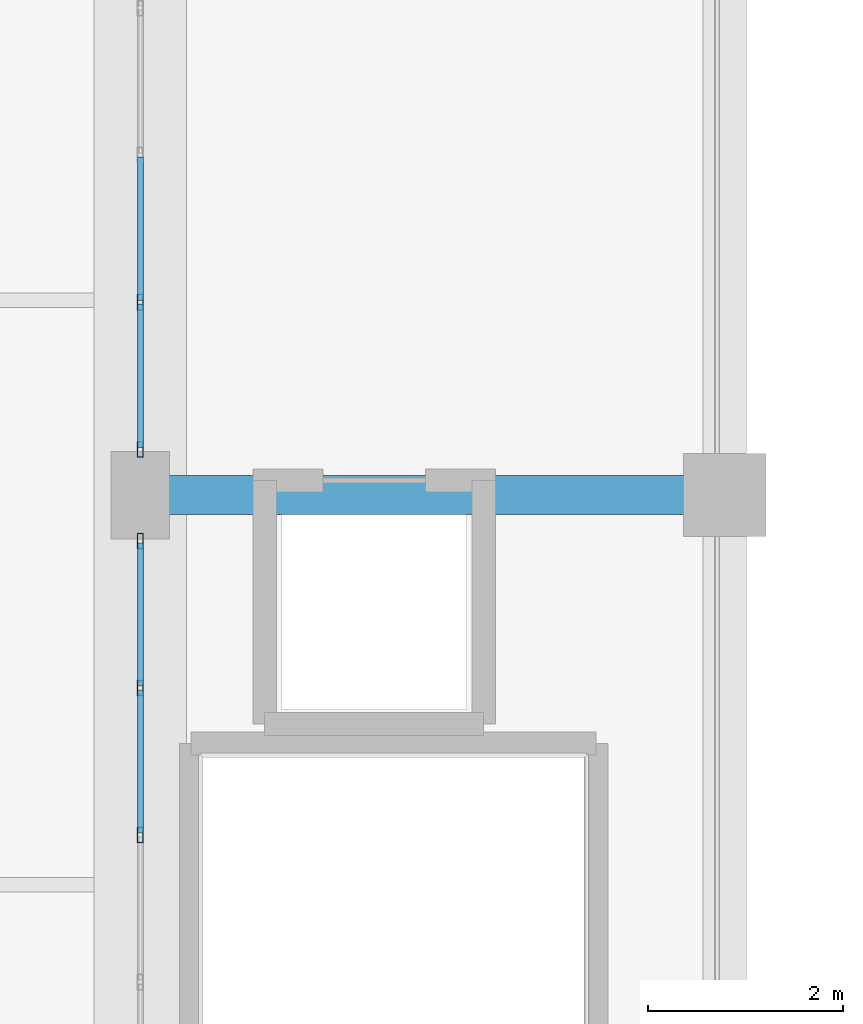
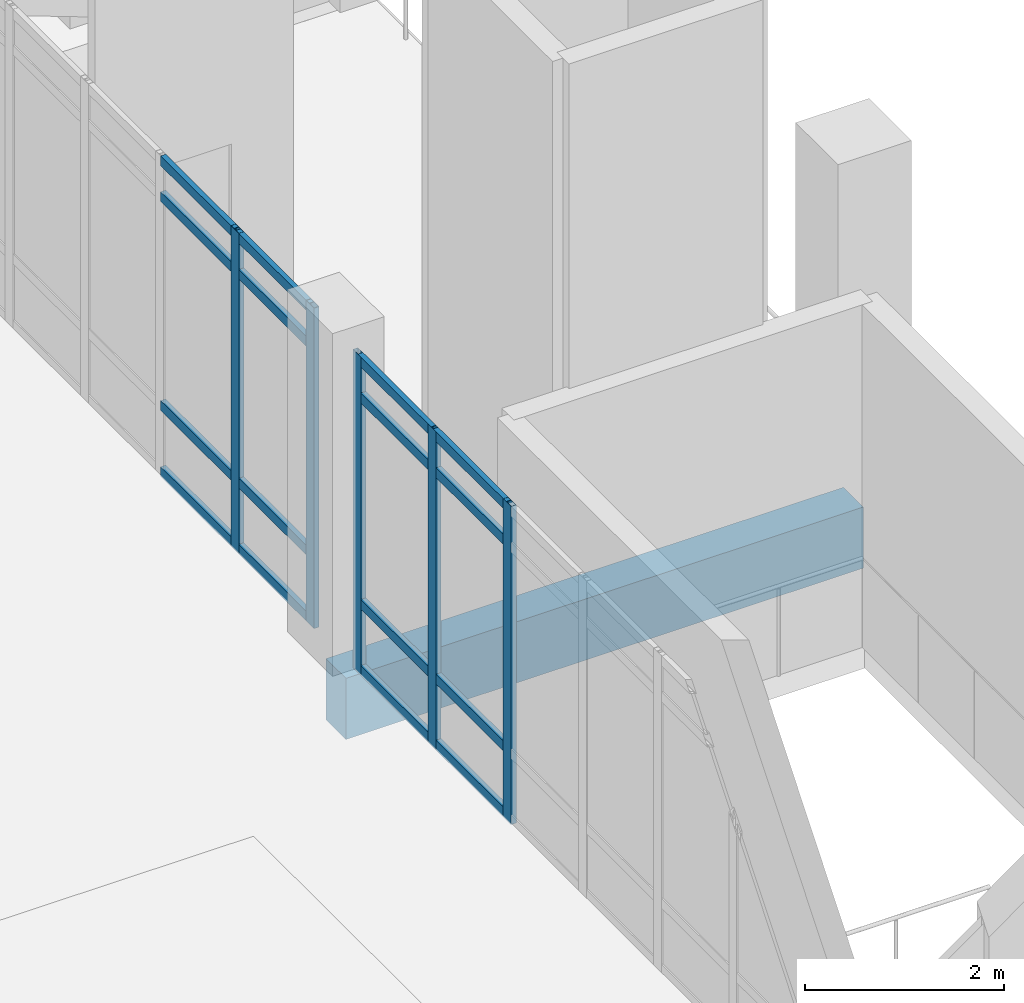
# One storey, part 51 of 161: 21 members, 1 beam, 2 elements without a shape of their own.
"""IFC4 building model written with IfcOpenShell, lengths in metres."""

import ifcopenshell
import ifcopenshell.guid

model = None  # the IFC model being written
_history = None  # IfcOwnerHistory: only IFC2X3 demands one
_inside = {}  # id of a spatial element -> (the spatial element, [elements in it])
_under = {}  # id of a project, library or spatial element -> (it, [spatial elements below it])
_declared = {}  # id of a project -> (the project, [libraries it declares])
_typed = {}  # id of a type object -> (the type object, [elements of that type])
_made_of = {}  # id of a material, layer set ... -> (it, [elements and type objects made of it])


def new_model(schema):
    """Start an empty IFC model of exactly this schema.

    Asked for "IFC4X3", IfcOpenShell would pick the latest addendum, in which some entities
    have other attributes; the version numbers below select the first issue.
    IFC2X3 requires an IfcOwnerHistory on every rooted entity: one is made here for all.
    """
    global model, _history
    if schema == "IFC4X3":
        model = ifcopenshell.file(schema_version=(4, 3, 0, 0))
    else:
        model = ifcopenshell.file(schema=schema)
    _inside.clear()
    _under.clear()
    _declared.clear()
    _typed.clear()
    _made_of.clear()
    _history = None
    if model.schema == "IFC2X3":
        org = make("IfcOrganization", Name="unknown")
        user = make(
            "IfcPersonAndOrganization",
            ThePerson=make("IfcPerson", FamilyName="unknown"),
            TheOrganization=org,
        )
        app = make(
            "IfcApplication",
            ApplicationDeveloper=org,
            Version="unknown",
            ApplicationFullName="unknown",
            ApplicationIdentifier="unknown",
        )
        _history = make(
            "IfcOwnerHistory",
            OwningUser=user,
            OwningApplication=app,
            ChangeAction="ADDED",
            CreationDate=0,
        )
    return model


def make(cls, **values):
    """One entity of the class cls with the attributes given. An attribute that is None is left unset."""
    return model.create_entity(
        cls, **{name: value for name, value in values.items() if value is not None}
    )


def rooted(cls, **values):
    """An entity with a GlobalId (a new one), such as an element, a storey or a relation."""
    return make(cls, GlobalId=ifcopenshell.guid.new(), OwnerHistory=_history, **values)


def si_unit(unit_type, name, prefix=None):
    """IfcSIUnit, for example si_unit("LENGTHUNIT", "METRE", prefix="MILLI")."""
    return make("IfcSIUnit", UnitType=unit_type, Prefix=prefix, Name=name)


def assignment(units):
    """IfcUnitAssignment: the units of a project."""
    return None if units is None else make("IfcUnitAssignment", Units=units)


def point(xyz):
    """IfcCartesianPoint."""
    return None if xyz is None else make("IfcCartesianPoint", Coordinates=xyz)


def direction(xyz):
    """IfcDirection."""
    return None if xyz is None else make("IfcDirection", DirectionRatios=xyz)


def frame(location, z_axis=None, x_axis=None):
    """IfcAxis2Placement3D, a coordinate frame: its origin and axes. An axis left out is left unset."""
    return make(
        "IfcAxis2Placement3D",
        Location=point(location),
        Axis=direction(z_axis),
        RefDirection=direction(x_axis),
    )


def frame_2d(location, x_axis=None):
    """IfcAxis2Placement2D, a coordinate frame in the plane: its origin and x axis."""
    return make(
        "IfcAxis2Placement2D", Location=point(location), RefDirection=direction(x_axis)
    )


def origin():
    """The frame at (0, 0, 0) with its axes left unset."""
    return frame((0.0, 0.0, 0.0))


def origin_2d():
    """The frame at (0, 0) in the plane with its x axis left unset."""
    return frame_2d((0.0, 0.0))


def place(relative_to, where):
    """IfcLocalPlacement: puts the frame where relative to a parent placement (None: the world)."""
    return make(
        "IfcLocalPlacement", PlacementRelTo=relative_to, RelativePlacement=where
    )


def context(
    kind, dimensions, precision=None, world=None, true_north=None, identifier=None
):
    """IfcGeometricRepresentationContext, for example the 3D "Model" context."""
    return make(
        "IfcGeometricRepresentationContext",
        ContextIdentifier=identifier,
        ContextType=kind,
        CoordinateSpaceDimension=dimensions,
        Precision=precision,
        WorldCoordinateSystem=world,
        TrueNorth=true_north,
    )


def subcontext(parent, identifier, kind, view, scale=None):
    """IfcGeometricRepresentationSubContext, for example "Body" below "Model"."""
    return make(
        "IfcGeometricRepresentationSubContext",
        ContextIdentifier=identifier,
        ContextType=kind,
        ParentContext=parent,
        TargetScale=scale,
        TargetView=view,
    )


def project(units=None, contexts=None):
    """IfcProject with its units and contexts."""
    return rooted(
        "IfcProject",
        Name="project",
        RepresentationContexts=contexts,
        UnitsInContext=assignment(units),
    )


def spatial(cls, under=None, at=None, **own):
    """A site, building, storey or space (cls), placed at a placement, below another one or the project."""
    s = rooted(cls, ObjectPlacement=at, **own)
    if under is not None:
        _under.setdefault(under.id(), (under, []))[1].append(s)
    return s


def profile(cls, at=None, kind="AREA", **sizes):
    """A parametric profile (cls). Its sizes go by their IFC names, for example OverallWidth=200.0."""
    return make(cls, ProfileType=kind, Position=at, **sizes)


def rectangle(**sizes):
    """IfcRectangleProfileDef."""
    return profile("IfcRectangleProfileDef", **sizes)


def hollow_rectangle(**sizes):
    """IfcRectangleHollowProfileDef."""
    return profile("IfcRectangleHollowProfileDef", **sizes)


def extrude(swept, where, along, depth):
    """IfcExtrudedAreaSolid: the profile swept, set in the frame where, extruded along a direction by depth."""
    return make(
        "IfcExtrudedAreaSolid",
        SweptArea=swept,
        Position=where,
        ExtrudedDirection=direction(along),
        Depth=depth,
    )


def shape(context_of_items, identifier, shape_type, items):
    """IfcShapeRepresentation: the items that make up one representation, for example the "Body"."""
    return make(
        "IfcShapeRepresentation",
        ContextOfItems=context_of_items,
        RepresentationIdentifier=identifier,
        RepresentationType=shape_type,
        Items=items,
    )


def material(Name=None, Category=None):
    """IfcMaterial."""
    return make("IfcMaterial", Name=Name, Category=Category)


def layer(
    of_material, thickness, ventilated=None, Name=None, Category=None, Priority=None
):
    """IfcMaterialLayer: one layer of a wall or slab, of a material (None: an air gap)."""
    return make(
        "IfcMaterialLayer",
        Material=of_material,
        LayerThickness=thickness,
        IsVentilated=ventilated,
        Name=Name,
        Category=Category,
        Priority=Priority,
    )


def layer_set(layers, Name=None):
    """IfcMaterialLayerSet."""
    return make("IfcMaterialLayerSet", MaterialLayers=layers, LayerSetName=Name)


def material_profile(
    of_material, cross_section, Name=None, Category=None, Priority=None
):
    """IfcMaterialProfile: a cross section and its material."""
    return make(
        "IfcMaterialProfile",
        Name=Name,
        Material=of_material,
        Profile=cross_section,
        Priority=Priority,
        Category=Category,
    )


def profile_set(profiles, Name=None, composite=None):
    """IfcMaterialProfileSet."""
    return make(
        "IfcMaterialProfileSet",
        Name=Name,
        MaterialProfiles=profiles,
        CompositeProfile=composite,
    )


def made_of(thing, what):
    """Note that an element or type object is made of a material, layer set ...; save() writes the relation."""
    if what is not None:
        _made_of.setdefault(what.id(), (what, []))[1].append(thing)
    return thing


def type_object(cls, material=None, **own):
    """A type object (cls), such as IfcWallType, which elements share."""
    return made_of(rooted(cls, **own), material)


def element(
    cls,
    number,
    at=None,
    inside=None,
    cuts=None,
    type_object=None,
    material=None,
    context=None,
    identifier="Body",
    shape_type=None,
    held_by="IfcProductDefinitionShape",
    body=None,
    shapes=None,
    **own,
):
    """One element of the class cls, such as IfcWall. Its Tag is "e" and its number.

    at: its placement. inside: the storey or other place that contains it. cuts: it is an
    opening in that element (IfcRelVoidsElement). A single representation is given by context,
    identifier, shape_type and body (its items); several are given by shapes. held_by: the class
    of the entity that holds the representations. save() writes the other relations.
    """
    e = rooted(cls, Tag="e%d" % number, ObjectPlacement=at, **own)
    if body is not None:
        shapes = [shape(context, identifier, shape_type, body)]
    if shapes is not None:
        e.Representation = make(held_by, Representations=shapes)
    if inside is not None:
        _inside.setdefault(inside.id(), (inside, []))[1].append(e)
    if cuts is not None:
        rooted(
            "IfcRelVoidsElement", RelatingBuildingElement=cuts, RelatedOpeningElement=e
        )
    if type_object is not None:
        _typed.setdefault(type_object.id(), (type_object, []))[1].append(e)
    return made_of(e, material)


def aggregate(whole, parts):
    """IfcRelAggregates: a whole, such as a stair, and the parts it consists of."""
    return rooted("IfcRelAggregates", RelatingObject=whole, RelatedObjects=parts)


def save(model, path):
    """Write the relations noted so far, then the file.

    IfcRelAggregates (storeys below a building ...), IfcRelContainedInSpatialStructure (elements
    in a storey), IfcRelDefinesByType, IfcRelAssociatesMaterial and IfcRelDeclares: one each for
    every whole, place, type object, material and project.
    """
    for whole, parts in _under.values():
        aggregate(whole, parts)
    for where, things in _inside.values():
        rooted(
            "IfcRelContainedInSpatialStructure",
            RelatedElements=things,
            RelatingStructure=where,
        )
    for kind, things in _typed.values():
        rooted("IfcRelDefinesByType", RelatedObjects=things, RelatingType=kind)
    for what, things in _made_of.values():
        rooted("IfcRelAssociatesMaterial", RelatedObjects=things, RelatingMaterial=what)
    for by, libraries in _declared.values():
        rooted("IfcRelDeclares", RelatingContext=by, RelatedDefinitions=libraries)
    model.write(path)


model = new_model("IFC4")

# Units and contexts
model_context = context("Model", 3, precision=1e-05, world=origin(), true_north=direction((0.0, 1.0)))
body_context = subcontext(model_context, "Body", "Model", "MODEL_VIEW")
ifc_project = project(units=[si_unit("LENGTHUNIT", "METRE"), si_unit("AREAUNIT", "SQUARE_METRE"), si_unit("VOLUMEUNIT", "CUBIC_METRE"), si_unit("PLANEANGLEUNIT", "RADIAN"), si_unit("MASSUNIT", "GRAM", prefix="KILO")], contexts=[model_context])

# Site, building, storey
site_placement = place(None, origin())
site = spatial("IfcSite", under=ifc_project, at=site_placement, CompositionType="ELEMENT")
building_placement = place(site_placement, origin())
building = spatial("IfcBuilding", under=site, at=building_placement, Name="Mersad Railyard Sports Hall", CompositionType="ELEMENT")
storey_placement = place(building_placement, frame((0.0, 0.0, 4.800048828125)))
storey = spatial("IfcBuildingStorey", under=building, at=storey_placement, Name="L01", CompositionType="ELEMENT", Elevation=4.800048828125)

# Curtain wall, members
ifc_material_1 = material(Name="Aluminium 6063-T6", Category="aluminium")
ifc_layer_1 = layer(ifc_material_1, 0.159912109375)
ifc_layer_set_1 = layer_set([ifc_layer_1], Name="Aluminium 6063-T6")
curtain_wall_type_1 = type_object("IfcCurtainWallType", Name="ARC-CW-CW25", PredefinedType="USERDEFINED", material=ifc_layer_set_1)
curtain_wall_1_placement = place(storey_placement, origin())
curtain_wall_1 = element("IfcCurtainWall", 1, at=curtain_wall_1_placement, inside=storey, type_object=curtain_wall_type_1, Name="Curtain wall CW25-0066", ObjectType="CURTAIN WALL", PredefinedType="USERDEFINED")
ifc_material_profile_1 = material_profile(ifc_material_1, hollow_rectangle(XDim=0.06005859375, YDim=0.159912109375, WallThickness=0.00390625, at=origin_2d()), Name="AL MULLION 60x160x4")
ifc_profile_set_1 = profile_set([ifc_material_profile_1], Name="Aluminium 6063-T6")
member_type_1 = type_object("IfcMemberType", Name="ARC-CW-MUL01", PredefinedType="MULLION", material=ifc_profile_set_1)
member_1_placement = place(storey_placement, frame((131.0, 20.010009765625, -0.02001953125), z_axis=(0.0, 0.0, 1.0), x_axis=(1.0, 0.0, 0.0)))
member_1 = element("IfcMember", 2, at=member_1_placement, type_object=member_type_1, Name="CW25 Mullion 5", PredefinedType="MULLION", context=body_context, shape_type="SweptSolid", body=[
    extrude(hollow_rectangle(XDim=0.06005859375, YDim=0.159912109375, WallThickness=0.00390625, at=origin_2d()), origin(), (0.0, 0.0, 1.0), 3.89990234375),
])
member_2_placement = place(storey_placement, frame((131.0, 21.52001953125, -0.02001953125), z_axis=(0.0, 0.0, 1.0), x_axis=(1.0, 0.0, 0.0)))
member_2 = element("IfcMember", 3, at=member_2_placement, type_object=member_type_1, Name="CW25 Mullion 6", PredefinedType="MULLION", context=body_context, shape_type="SweptSolid", body=[
    extrude(hollow_rectangle(XDim=0.06005859375, YDim=0.159912109375, WallThickness=0.00390625, at=origin_2d()), origin(), (0.0, 0.0, 1.0), 3.89990234375),
])
member_3_placement = place(storey_placement, frame((131.0, 23.030029296875, -0.02001953125), z_axis=(0.0, 0.0, 1.0), x_axis=(1.0, 0.0, 0.0)))
member_3 = element("IfcMember", 4, at=member_3_placement, type_object=member_type_1, Name="CW25 Mullion 7", PredefinedType="MULLION", context=body_context, shape_type="SweptSolid", body=[
    extrude(hollow_rectangle(XDim=0.06005859375, YDim=0.159912109375, WallThickness=0.00390625, at=origin_2d()), origin(), (0.0, 0.0, 1.0), 3.89990234375),
])

ifc_layer_2 = layer(ifc_material_1, 0.159912109375)
ifc_layer_set_2 = layer_set([ifc_layer_2], Name="Aluminium 6063-T6")
curtain_wall_type_2 = type_object("IfcCurtainWallType", Name="ARC-CW-CW26", PredefinedType="USERDEFINED", material=ifc_layer_set_2)
curtain_wall_2_placement = place(storey_placement, origin())
curtain_wall_2 = element("IfcCurtainWall", 5, at=curtain_wall_2_placement, inside=storey, type_object=curtain_wall_type_2, Name="Curtain wall CW26-0068", ObjectType="CURTAIN WALL", PredefinedType="USERDEFINED")
member_4_placement = place(storey_placement, frame((131.0, 23.969970703125, -0.02001953125), z_axis=(0.0, 0.0, 1.0), x_axis=(1.0, 0.0, 0.0)))
member_4 = element("IfcMember", 6, at=member_4_placement, type_object=member_type_1, Name="CW26 Mullion 1", PredefinedType="MULLION", context=body_context, shape_type="SweptSolid", body=[
    extrude(hollow_rectangle(XDim=0.06005859375, YDim=0.159912109375, WallThickness=0.00390625, at=origin_2d()), origin(), (0.0, 0.0, 1.0), 3.929931640625),
])
member_5_placement = place(storey_placement, frame((131.0, 25.47998046875, -0.02001953125), z_axis=(0.0, 0.0, 1.0), x_axis=(1.0, 0.0, 0.0)))
member_5 = element("IfcMember", 7, at=member_5_placement, type_object=member_type_1, Name="CW26 Mullion 2", PredefinedType="MULLION", context=body_context, shape_type="SweptSolid", body=[
    extrude(hollow_rectangle(XDim=0.06005859375, YDim=0.159912109375, WallThickness=0.00390625, at=origin_2d()), origin(), (0.0, 0.0, 1.0), 3.929931640625),
])

# Member
ifc_material_profile_2 = material_profile(ifc_material_1, hollow_rectangle(XDim=0.06005859375, YDim=0.1201171875, WallThickness=0.00390625, at=origin_2d()), Name="AL TRANSOM 60x120x4")
ifc_profile_set_2 = profile_set([ifc_material_profile_2], Name="Aluminium 6063-T6")
member_type_2 = type_object("IfcMemberType", Name="ARC-CW-TRN01", PredefinedType="USERDEFINED", material=ifc_profile_set_2)
member_6_placement = place(storey_placement, frame((131.0, 20.030029296875, 0.0400390625), z_axis=(0.0, 1.0, 0.0), x_axis=(-1.0, 0.0, 0.0)))
member_6 = element("IfcMember", 8, at=member_6_placement, type_object=member_type_2, Name="CW25 Transom 1-5", ObjectType="TRANSOM", PredefinedType="USERDEFINED", context=body_context, shape_type="SweptSolid", body=[
    extrude(hollow_rectangle(XDim=0.06005859375, YDim=0.1201171875, WallThickness=0.00390625, at=origin_2d()), origin(), (0.0, 0.0, 1.0), 1.469970703125),
])

member_7_placement = place(storey_placement, frame((131.0, 21.5400390625, 0.0400390625), z_axis=(0.0, 1.0, 0.0), x_axis=(-1.0, 0.0, 0.0)))
member_7 = element("IfcMember", 9, at=member_7_placement, type_object=member_type_2, Name="CW25 Transom 1-6", ObjectType="TRANSOM", PredefinedType="USERDEFINED", context=body_context, shape_type="SweptSolid", body=[
    extrude(hollow_rectangle(XDim=0.06005859375, YDim=0.1201171875, WallThickness=0.00390625, at=origin_2d()), origin(), (0.0, 0.0, 1.0), 1.469970703125),
])

member_8_placement = place(storey_placement, frame((131.0, 20.030029296875, 0.849853515625), z_axis=(0.0, 1.0, 0.0), x_axis=(-1.0, 0.0, 0.0)))
member_8 = element("IfcMember", 10, at=member_8_placement, type_object=member_type_2, Name="CW25 Transom 2-5", ObjectType="TRANSOM", PredefinedType="USERDEFINED", context=body_context, shape_type="SweptSolid", body=[
    extrude(hollow_rectangle(XDim=0.06005859375, YDim=0.1201171875, WallThickness=0.00390625, at=origin_2d()), origin(), (0.0, 0.0, 1.0), 1.469970703125),
])

member_9_placement = place(storey_placement, frame((131.0, 21.5400390625, 0.849853515625), z_axis=(0.0, 1.0, 0.0), x_axis=(-1.0, 0.0, 0.0)))
member_9 = element("IfcMember", 11, at=member_9_placement, type_object=member_type_2, Name="CW25 Transom 2-6", ObjectType="TRANSOM", PredefinedType="USERDEFINED", context=body_context, shape_type="SweptSolid", body=[
    extrude(hollow_rectangle(XDim=0.06005859375, YDim=0.1201171875, WallThickness=0.00390625, at=origin_2d()), origin(), (0.0, 0.0, 1.0), 1.469970703125),
])

member_10_placement = place(storey_placement, frame((131.0, 20.030029296875, 3.3798828125), z_axis=(0.0, 1.0, 0.0), x_axis=(-1.0, 0.0, 0.0)))
member_10 = element("IfcMember", 12, at=member_10_placement, type_object=member_type_2, Name="CW25 Transom 3-5", ObjectType="TRANSOM", PredefinedType="USERDEFINED", context=body_context, shape_type="SweptSolid", body=[
    extrude(hollow_rectangle(XDim=0.06005859375, YDim=0.1201171875, WallThickness=0.00390625, at=origin_2d()), origin(), (0.0, 0.0, 1.0), 1.469970703125),
])

member_11_placement = place(storey_placement, frame((131.0, 21.5400390625, 3.3798828125), z_axis=(0.0, 1.0, 0.0), x_axis=(-1.0, 0.0, 0.0)))
member_11 = element("IfcMember", 13, at=member_11_placement, type_object=member_type_2, Name="CW25 Transom 3-6", ObjectType="TRANSOM", PredefinedType="USERDEFINED", context=body_context, shape_type="SweptSolid", body=[
    extrude(hollow_rectangle(XDim=0.06005859375, YDim=0.1201171875, WallThickness=0.00390625, at=origin_2d()), origin(), (0.0, 0.0, 1.0), 1.469970703125),
])

member_12_placement = place(storey_placement, frame((131.0, 20.030029296875, 3.820068359375), z_axis=(0.0, 1.0, 0.0), x_axis=(-1.0, 0.0, 0.0)))
member_12 = element("IfcMember", 14, at=member_12_placement, type_object=member_type_2, Name="CW25 Transom 4-5", ObjectType="TRANSOM", PredefinedType="USERDEFINED", context=body_context, shape_type="SweptSolid", body=[
    extrude(hollow_rectangle(XDim=0.06005859375, YDim=0.1201171875, WallThickness=0.00390625, at=origin_2d()), origin(), (0.0, 0.0, 1.0), 1.469970703125),
])

member_13_placement = place(storey_placement, frame((131.0, 21.5400390625, 3.820068359375), z_axis=(0.0, 1.0, 0.0), x_axis=(-1.0, 0.0, 0.0)))
member_13 = element("IfcMember", 15, at=member_13_placement, type_object=member_type_2, Name="CW25 Transom 4-6", ObjectType="TRANSOM", PredefinedType="USERDEFINED", context=body_context, shape_type="SweptSolid", body=[
    extrude(hollow_rectangle(XDim=0.06005859375, YDim=0.1201171875, WallThickness=0.00390625, at=origin_2d()), origin(), (0.0, 0.0, 1.0), 1.469970703125),
])

aggregate(curtain_wall_1, [member_1, member_2, member_3, member_6, member_7, member_8, member_9, member_10, member_11, member_12, member_13])

member_14_placement = place(storey_placement, frame((131.0, 23.989990234375, 0.0400390625), z_axis=(0.0, 1.0, 0.0), x_axis=(-1.0, 0.0, 0.0)))
member_14 = element("IfcMember", 16, at=member_14_placement, type_object=member_type_2, Name="CW26 Transom 1-1", ObjectType="TRANSOM", PredefinedType="USERDEFINED", context=body_context, shape_type="SweptSolid", body=[
    extrude(hollow_rectangle(XDim=0.06005859375, YDim=0.1201171875, WallThickness=0.00390625, at=origin_2d()), origin(), (0.0, 0.0, 1.0), 1.469970703125),
])

member_15_placement = place(storey_placement, frame((131.0, 25.5, 0.0400390625), z_axis=(0.0, 1.0, 0.0), x_axis=(-1.0, 0.0, 0.0)))
member_15 = element("IfcMember", 17, at=member_15_placement, type_object=member_type_2, Name="CW26 Transom 1-2", ObjectType="TRANSOM", PredefinedType="USERDEFINED", context=body_context, shape_type="SweptSolid", body=[
    extrude(hollow_rectangle(XDim=0.06005859375, YDim=0.1201171875, WallThickness=0.00390625, at=origin_2d()), origin(), (0.0, 0.0, 1.0), 1.469970703125),
])

member_16_placement = place(storey_placement, frame((131.0, 23.989990234375, 0.849853515625), z_axis=(0.0, 1.0, 0.0), x_axis=(-1.0, 0.0, 0.0)))
member_16 = element("IfcMember", 18, at=member_16_placement, type_object=member_type_2, Name="CW26 Transom 2-1", ObjectType="TRANSOM", PredefinedType="USERDEFINED", context=body_context, shape_type="SweptSolid", body=[
    extrude(hollow_rectangle(XDim=0.06005859375, YDim=0.1201171875, WallThickness=0.00390625, at=origin_2d()), origin(), (0.0, 0.0, 1.0), 1.469970703125),
])

member_17_placement = place(storey_placement, frame((131.0, 25.5, 0.849853515625), z_axis=(0.0, 1.0, 0.0), x_axis=(-1.0, 0.0, 0.0)))
member_17 = element("IfcMember", 19, at=member_17_placement, type_object=member_type_2, Name="CW26 Transom 2-2", ObjectType="TRANSOM", PredefinedType="USERDEFINED", context=body_context, shape_type="SweptSolid", body=[
    extrude(hollow_rectangle(XDim=0.06005859375, YDim=0.1201171875, WallThickness=0.00390625, at=origin_2d()), origin(), (0.0, 0.0, 1.0), 1.469970703125),
])

member_18_placement = place(storey_placement, frame((131.0, 23.989990234375, 3.409912109375), z_axis=(0.0, 1.0, 0.0), x_axis=(-1.0, 0.0, 0.0)))
member_18 = element("IfcMember", 20, at=member_18_placement, type_object=member_type_2, Name="CW26 Transom 3-1", ObjectType="TRANSOM", PredefinedType="USERDEFINED", context=body_context, shape_type="SweptSolid", body=[
    extrude(hollow_rectangle(XDim=0.06005859375, YDim=0.1201171875, WallThickness=0.00390625, at=origin_2d()), origin(), (0.0, 0.0, 1.0), 1.469970703125),
])

member_19_placement = place(storey_placement, frame((131.0, 25.5, 3.409912109375), z_axis=(0.0, 1.0, 0.0), x_axis=(-1.0, 0.0, 0.0)))
member_19 = element("IfcMember", 21, at=member_19_placement, type_object=member_type_2, Name="CW26 Transom 3-2", ObjectType="TRANSOM", PredefinedType="USERDEFINED", context=body_context, shape_type="SweptSolid", body=[
    extrude(hollow_rectangle(XDim=0.06005859375, YDim=0.1201171875, WallThickness=0.00390625, at=origin_2d()), origin(), (0.0, 0.0, 1.0), 1.469970703125),
])

member_20_placement = place(storey_placement, frame((131.0, 23.989990234375, 3.849853515625), z_axis=(0.0, 1.0, 0.0), x_axis=(-1.0, 0.0, 0.0)))
member_20 = element("IfcMember", 22, at=member_20_placement, type_object=member_type_2, Name="CW26 Transom 4-1", ObjectType="TRANSOM", PredefinedType="USERDEFINED", context=body_context, shape_type="SweptSolid", body=[
    extrude(hollow_rectangle(XDim=0.06005859375, YDim=0.1201171875, WallThickness=0.00390625, at=origin_2d()), origin(), (0.0, 0.0, 1.0), 1.469970703125),
])

member_21_placement = place(storey_placement, frame((131.0, 25.5, 3.849853515625), z_axis=(0.0, 1.0, 0.0), x_axis=(-1.0, 0.0, 0.0)))
member_21 = element("IfcMember", 23, at=member_21_placement, type_object=member_type_2, Name="CW26 Transom 4-2", ObjectType="TRANSOM", PredefinedType="USERDEFINED", context=body_context, shape_type="SweptSolid", body=[
    extrude(hollow_rectangle(XDim=0.06005859375, YDim=0.1201171875, WallThickness=0.00390625, at=origin_2d()), origin(), (0.0, 0.0, 1.0), 1.469970703125),
])

aggregate(curtain_wall_2, [member_4, member_5, member_14, member_15, member_16, member_17, member_18, member_19, member_20, member_21])

# Beam
ifc_material_2 = material(Name="Concrete C40/50", Category="concrete")
ifc_material_profile_3 = material_profile(ifc_material_2, rectangle(XDim=0.39990234375, YDim=0.75, at=origin_2d()), Name="RC 400x750")
ifc_profile_set_3 = profile_set([ifc_material_profile_3], Name="Concrete C40/50")
beam_type = type_object("IfcBeamType", Name="STR-BM-B01", PredefinedType="BEAM", material=ifc_profile_set_3)
beam_placement = place(storey_placement, frame((131.0, 23.5, -0.655029296875), z_axis=(1.0, 0.0, 0.0), x_axis=(0.0, 1.0, 0.0)))
element("IfcBeam", 24, at=beam_placement, inside=storey, type_object=beam_type, Name="Beam B01-0629", PredefinedType="BEAM", context=body_context, shape_type="SweptSolid", body=[
    extrude(rectangle(XDim=0.39990234375, YDim=0.75, at=origin_2d()), origin(), (0.0, 0.0, 1.0), 6.0),
])

save(model, "model.ifc")
